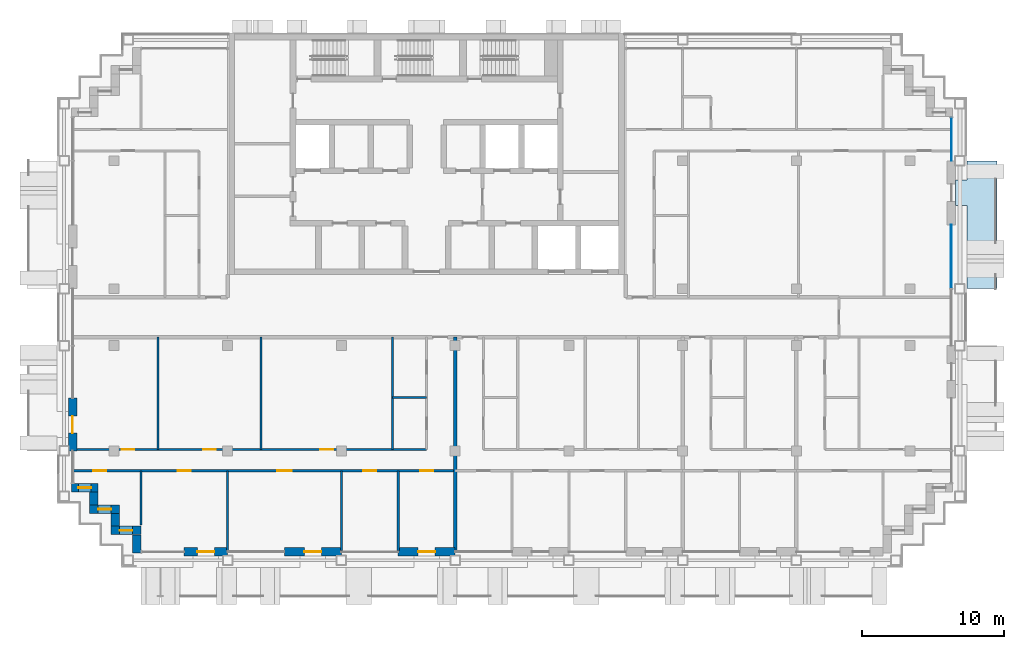
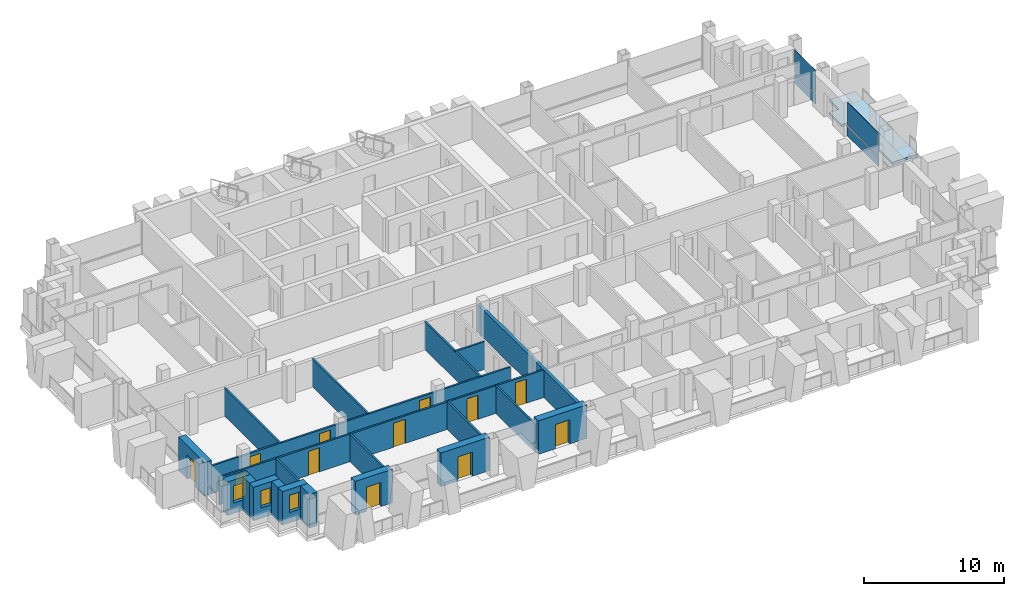
# One storey, part 7 of 16: 21 walls, 12 doors, 4 plates, 3 windows, 1 slab, 15 openings, 2 elements without a shape of their own.
"""IFC4 building model written with IfcOpenShell, lengths in metres."""

from ifc_helpers import new_model, si_unit, direction, frame, frame_2d, origin, origin_2d, place, context, subcontext, project, spatial, polyline, rectangle, outline, extrude, material, layer, layer_set, type_object, element, fill, aggregate, save


model = new_model("IFC4")

# Units and contexts
model_context = context("Model", 3, precision=1e-05, world=origin(), true_north=direction((0.0, 1.0)))
body_context = subcontext(model_context, "Body", "Model", "MODEL_VIEW")
ifc_project = project(units=[si_unit("LENGTHUNIT", "METRE"), si_unit("AREAUNIT", "SQUARE_METRE"), si_unit("VOLUMEUNIT", "CUBIC_METRE"), si_unit("PLANEANGLEUNIT", "RADIAN"), si_unit("MASSUNIT", "GRAM", prefix="KILO")], contexts=[model_context])

# Site, building, storey
site_placement = place(None, origin())
site = spatial("IfcSite", under=ifc_project, at=site_placement, CompositionType="ELEMENT")
building_placement = place(site_placement, origin())
building = spatial("IfcBuilding", under=site, at=building_placement, Name="Vidyagriha Tower", CompositionType="ELEMENT")
storey_placement = place(building_placement, frame((0.0, 0.0, 181.300048828125)))
storey = spatial("IfcBuildingStorey", under=building, at=storey_placement, Name="L47", CompositionType="ELEMENT", Elevation=181.300048828125)

# Curtain wall, plate
ifc_material_1 = material(Name="Aluminium and glass curtain wall", Category="aluminium")
curtain_wall_type = type_object("IfcCurtainWallType", Name="Dwelling skin unitised curtain wall", PredefinedType="USERDEFINED", material=ifc_material_1)
curtain_wall_1_placement = place(storey_placement, origin())
curtain_wall_1 = element("IfcCurtainWall", 1, at=curtain_wall_1_placement, inside=storey, type_object=curtain_wall_type, Name="CW1 dwelling skin", ObjectType="UNITISED", PredefinedType="USERDEFINED")
ifc_material_2 = material(Name="Glass dark ceramic-fritted spandrel", Category="glass")
ifc_layer_1 = layer(ifc_material_2, 0.0400390625)
ifc_layer_set_1 = layer_set([ifc_layer_1], Name="Glass dark ceramic-fritted spandrel")
plate_type_1 = type_object("IfcPlateType", Name="Ceramic-fritted spandrel panel", PredefinedType="CURTAIN_PANEL", material=ifc_layer_set_1)
plate_1_placement = place(storey_placement, frame((36.89990234375, 12.514892578125, 0.0), z_axis=(0.0, 0.0, 1.0), x_axis=(0.0, 1.0, 0.0)))
plate_1 = element("IfcPlate", 2, at=plate_1_placement, type_object=plate_type_1, Name="CW1 panel 1.1", PredefinedType="CURTAIN_PANEL", context=body_context, shape_type="SweptSolid", body=[
    extrude(rectangle(XDim=3.030029296875, YDim=0.0400390625, at=origin_2d()), origin(), (0.0, 0.0, 1.0), 0.85009765625),
])

curtain_wall_2_placement = place(storey_placement, origin())
curtain_wall_2 = element("IfcCurtainWall", 3, at=curtain_wall_2_placement, inside=storey, type_object=curtain_wall_type, Name="CW1 dwelling skin", ObjectType="UNITISED", PredefinedType="USERDEFINED")
ifc_material_3 = material(Name="Glass dark ceramic-fritted", Category="glass")
ifc_layer_2 = layer(ifc_material_3, 0.028076171875)
ifc_layer_set_2 = layer_set([ifc_layer_2], Name="Glass dark ceramic-fritted")
plate_type_2 = type_object("IfcPlateType", Name="Dark ceramic-fritted vision glass panel", PredefinedType="CURTAIN_PANEL", material=ifc_layer_set_2)
plate_2_placement = place(storey_placement, frame((36.89990234375, 4.267578125, 0.9501953125), z_axis=(0.0, 0.0, 1.0), x_axis=(0.0, 1.0, 0.0)))
plate_2 = element("IfcPlate", 4, at=plate_2_placement, type_object=plate_type_2, Name="CW1 panel 2.2", PredefinedType="CURTAIN_PANEL", context=body_context, shape_type="SweptSolid", body=[
    extrude(rectangle(XDim=4.465087890625, YDim=0.028076171875, at=origin_2d()), origin(), (0.0, 0.0, 1.0), 1.969970703125),
])

# Plate
plate_3_placement = place(storey_placement, frame((36.89990234375, 12.514892578125, 0.9501953125), z_axis=(0.0, 0.0, 1.0), x_axis=(0.0, 1.0, 0.0)))
plate_3 = element("IfcPlate", 5, at=plate_3_placement, type_object=plate_type_2, Name="CW1 panel 1.2", PredefinedType="CURTAIN_PANEL", context=body_context, shape_type="SweptSolid", body=[
    extrude(rectangle(XDim=3.030029296875, YDim=0.028076171875, at=origin_2d()), origin(), (0.0, 0.0, 1.0), 1.969970703125),
])

aggregate(curtain_wall_1, [plate_1, plate_3])

ifc_material_4 = material(Name="Aluminium black anodised", Category="aluminium")
ifc_layer_3 = layer(ifc_material_4, 0.06005859375)
ifc_layer_set_3 = layer_set([ifc_layer_3], Name="Aluminium black anodised")
plate_type_3 = type_object("IfcPlateType", Name="Operable black-metal vent panel", PredefinedType="CURTAIN_PANEL", material=ifc_layer_set_3)
plate_4_placement = place(storey_placement, frame((36.89990234375, 4.267578125, 0.0), z_axis=(0.0, 0.0, 1.0), x_axis=(0.0, 1.0, 0.0)))
plate_4 = element("IfcPlate", 6, at=plate_4_placement, type_object=plate_type_3, Name="CW1 panel 2.1", PredefinedType="CURTAIN_PANEL", context=body_context, shape_type="SweptSolid", body=[
    extrude(rectangle(XDim=4.465087890625, YDim=0.06005859375, at=origin_2d()), origin(), (0.0, 0.0, 1.0), 0.85009765625),
])

aggregate(curtain_wall_2, [plate_4, plate_2])

# Slab
ifc_material_5 = material(Name="Precast concrete C40/50", Category="concrete")
ifc_layer_4 = layer(ifc_material_5, 0.199951171875)
ifc_layer_set_4 = layer_set([ifc_layer_4], Name="Precast concrete C40/50")
slab_type = type_object("IfcSlabType", Name="Precast balcony slab 200", PredefinedType="USERDEFINED", material=ifc_layer_set_4)
slab_placement = place(storey_placement, frame((0.0, 0.0, -0.199951171875)))
element("IfcSlab", 7, at=slab_placement, inside=storey, type_object=slab_type, Name="Balcony slab L47 R30.2-2", ObjectType="BALCONY", PredefinedType="USERDEFINED", context=body_context, shape_type="SweptSolid", body=[
    extrude(outline(polyline([(38.0, 7.85009765625), (38.0, 2.0), (40.10009765625, 2.0), (40.10009765625, 11.0), (38.0, 11.0), (38.0, 9.64990234375), (37.199951171875, 9.64990234375), (37.199951171875, 7.85009765625), (38.0, 7.85009765625)])), origin(), (0.0, 0.0, 1.0), 0.199951171875),
])

# Wall, opening, door
ifc_material_6 = material(Name="Precast concrete C40/50 with brick facing", Category="concrete")
ifc_layer_5 = layer(ifc_material_6, 0.60009765625)
ifc_layer_set_5 = layer_set([ifc_layer_5], Name="Precast concrete C40/50 with brick facing")
wall_type_1 = type_object("IfcWallType", Name="Brick-faced precast wall 600", PredefinedType="STANDARD", material=ifc_layer_set_5)
wall_1_placement = place(storey_placement, frame((-24.89990234375, -5.699951171875, 0.0), z_axis=(0.0, 0.0, 1.0), x_axis=(0.0, -1.0, 0.0)))
wall_1 = element("IfcWall", 8, at=wall_1_placement, inside=storey, type_object=wall_type_1, Name="Brick door bay wall L47 R16.6", PredefinedType="STANDARD", context=body_context, shape_type="SweptSolid", body=[
    extrude(rectangle(XDim=3.699951171875, YDim=0.60009765625, at=frame_2d((1.85009765625, 0.0))), origin(), (0.0, 0.0, 1.0), 2.919921875),
])
opening_1_placement = place(wall_1_placement, frame((1.25, 0.0, 0.0)))
opening_1 = element("IfcOpeningElement", 9, at=opening_1_placement, cuts=wall_1, Name="Opening D47-70", PredefinedType="OPENING", context=body_context, shape_type="SweptSolid", body=[
    extrude(rectangle(XDim=1.199951171875, YDim=2.10009765625, at=frame_2d((0.60009765625, 1.050048828125))), frame((0.0, 0.31005859375, 0.0), z_axis=(0.0, -1.0, 0.0), x_axis=(1.0, 0.0, 0.0)), (0.0, 0.0, 1.0), 0.6201171875),
])
ifc_material_7 = material(Name="Aluminium framed glazed sliding door", Category="aluminium")
door_type_1 = type_object("IfcDoorType", Name="Balcony sliding door 1200x2100", OperationType="NOTDEFINED", PredefinedType="DOOR", material=ifc_material_7)
door_1_placement = place(opening_1_placement, origin())
door_1 = element("IfcDoor", 10, at=door_1_placement, inside=storey, type_object=door_type_1, Name="Door D47-70", OperationType="SLIDING_TO_LEFT", OverallHeight=2.10009765625, OverallWidth=1.199951171875, PredefinedType="DOOR", context=body_context, shape_type="SweptSolid", body=[
    extrude(rectangle(XDim=1.199951171875, YDim=2.10009765625, at=frame_2d((0.60009765625, 1.050048828125))), frame((0.0, 0.02490234375, 0.0), z_axis=(0.0, -1.0, 0.0), x_axis=(1.0, 0.0, 0.0)), (0.0, 0.0, 1.0), 0.050048828125),
])
fill(opening_1, door_1)

# Wall, opening, window
wall_2_placement = place(storey_placement, frame((-24.97998046875, -12.0, 0.0)))
wall_2 = element("IfcWall", 11, at=wall_2_placement, inside=storey, type_object=wall_type_1, Name="Stepped corner wall L47 R17", PredefinedType="STANDARD", context=body_context, shape_type="SweptSolid", body=[
    extrude(rectangle(XDim=1.8798828125, YDim=0.60009765625, at=frame_2d((0.93994140625, 0.0))), origin(), (0.0, 0.0, 1.0), 2.919921875),
])
opening_2_placement = place(wall_2_placement, frame((0.489990234375, 0.0, 0.89990234375)))
opening_2 = element("IfcOpeningElement", 12, at=opening_2_placement, cuts=wall_2, Name="Opening WN1", PredefinedType="OPENING", context=body_context, shape_type="SweptSolid", body=[
    extrude(rectangle(XDim=0.89990234375, YDim=1.5, at=frame_2d((0.449951171875, 0.75))), frame((0.0, 0.31005859375, 0.0), z_axis=(0.0, -1.0, 0.0), x_axis=(1.0, 0.0, 0.0)), (0.0, 0.0, 1.0), 0.6201171875),
])
ifc_material_8 = material(Name="Aluminium and glass window", Category="aluminium")
window_type = type_object("IfcWindowType", Name="Reveal window 900x1500", PartitioningType="NOTDEFINED", PredefinedType="WINDOW", material=ifc_material_8)
window_1_placement = place(opening_2_placement, origin())
window_1 = element("IfcWindow", 13, at=window_1_placement, inside=storey, type_object=window_type, Name="Reveal window L47 R17", OverallHeight=1.5, OverallWidth=0.89990234375, PartitioningType="SINGLE_PANEL", PredefinedType="WINDOW", context=body_context, shape_type="SweptSolid", body=[
    extrude(rectangle(XDim=0.89990234375, YDim=1.5, at=frame_2d((0.449951171875, 0.75))), frame((0.0, 0.030029296875, 0.0), z_axis=(0.0, -1.0, 0.0), x_axis=(1.0, 0.0, 0.0)), (0.0, 0.0, 1.0), 0.06005859375),
])
fill(opening_2, window_1)

# Wall
wall_3_placement = place(storey_placement, frame((-23.39990234375, -12.300048828125, 0.0), z_axis=(0.0, 0.0, 1.0), x_axis=(0.0, -1.0, 0.0)))
element("IfcWall", 14, at=wall_3_placement, inside=storey, type_object=wall_type_1, Name="Stepped corner wall L47 R18", PredefinedType="STANDARD", context=body_context, shape_type="SweptSolid", body=[
    extrude(rectangle(XDim=0.89990234375, YDim=0.60009765625, at=frame_2d((0.449951171875, 0.0))), origin(), (0.0, 0.0, 1.0), 2.919921875),
])

# Wall, opening, window
wall_4_placement = place(storey_placement, frame((-23.699951171875, -13.5, 0.0)))
wall_4 = element("IfcWall", 15, at=wall_4_placement, inside=storey, type_object=wall_type_1, Name="Stepped corner wall L47 R19", PredefinedType="STANDARD", context=body_context, shape_type="SweptSolid", body=[
    extrude(rectangle(XDim=2.099853515625, YDim=0.60009765625, at=frame_2d((1.0498046875, 0.0))), origin(), (0.0, 0.0, 1.0), 2.919921875),
])
opening_3_placement = place(wall_4_placement, frame((0.60009765625, 0.0, 0.89990234375)))
opening_3 = element("IfcOpeningElement", 16, at=opening_3_placement, cuts=wall_4, Name="Opening WN1", PredefinedType="OPENING", context=body_context, shape_type="SweptSolid", body=[
    extrude(rectangle(XDim=0.89990234375, YDim=1.5, at=frame_2d((0.449951171875, 0.75))), frame((0.0, 0.31005859375, 0.0), z_axis=(0.0, -1.0, 0.0), x_axis=(1.0, 0.0, 0.0)), (0.0, 0.0, 1.0), 0.6201171875),
])
window_2_placement = place(opening_3_placement, origin())
window_2 = element("IfcWindow", 17, at=window_2_placement, inside=storey, type_object=window_type, Name="Reveal window L47 R19", OverallHeight=1.5, OverallWidth=0.89990234375, PartitioningType="SINGLE_PANEL", PredefinedType="WINDOW", context=body_context, shape_type="SweptSolid", body=[
    extrude(rectangle(XDim=0.89990234375, YDim=1.5, at=frame_2d((0.449951171875, 0.75))), frame((0.0, 0.030029296875, 0.0), z_axis=(0.0, -1.0, 0.0), x_axis=(1.0, 0.0, 0.0)), (0.0, 0.0, 1.0), 0.06005859375),
])
fill(opening_3, window_2)

# Wall
wall_5_placement = place(storey_placement, frame((-21.89990234375, -13.800048828125, 0.0), z_axis=(0.0, 0.0, 1.0), x_axis=(0.0, -1.0, 0.0)))
element("IfcWall", 18, at=wall_5_placement, inside=storey, type_object=wall_type_1, Name="Stepped corner wall L47 R20", PredefinedType="STANDARD", context=body_context, shape_type="SweptSolid", body=[
    extrude(rectangle(XDim=0.89990234375, YDim=0.60009765625, at=frame_2d((0.449951171875, 0.0))), origin(), (0.0, 0.0, 1.0), 2.919921875),
])

# Wall, opening, window
wall_6_placement = place(storey_placement, frame((-22.199951171875, -15.0, 0.0)))
wall_6 = element("IfcWall", 19, at=wall_6_placement, inside=storey, type_object=wall_type_1, Name="Stepped corner wall L47 R21", PredefinedType="STANDARD", context=body_context, shape_type="SweptSolid", body=[
    extrude(rectangle(XDim=2.099853515625, YDim=0.60009765625, at=frame_2d((1.0498046875, 0.0))), origin(), (0.0, 0.0, 1.0), 2.919921875),
])
opening_4_placement = place(wall_6_placement, frame((0.60009765625, 0.0, 0.89990234375)))
opening_4 = element("IfcOpeningElement", 20, at=opening_4_placement, cuts=wall_6, Name="Opening WN1", PredefinedType="OPENING", context=body_context, shape_type="SweptSolid", body=[
    extrude(rectangle(XDim=0.89990234375, YDim=1.5, at=frame_2d((0.449951171875, 0.75))), frame((0.0, 0.31005859375, 0.0), z_axis=(0.0, -1.0, 0.0), x_axis=(1.0, 0.0, 0.0)), (0.0, 0.0, 1.0), 0.6201171875),
])
window_3_placement = place(opening_4_placement, origin())
window_3 = element("IfcWindow", 21, at=window_3_placement, inside=storey, type_object=window_type, Name="Reveal window L47 R21", OverallHeight=1.5, OverallWidth=0.89990234375, PartitioningType="SINGLE_PANEL", PredefinedType="WINDOW", context=body_context, shape_type="SweptSolid", body=[
    extrude(rectangle(XDim=0.89990234375, YDim=1.5, at=frame_2d((0.449951171875, 0.75))), frame((0.0, 0.030029296875, 0.0), z_axis=(0.0, -1.0, 0.0), x_axis=(1.0, 0.0, 0.0)), (0.0, 0.0, 1.0), 0.06005859375),
])
fill(opening_4, window_3)

# Wall
wall_7_placement = place(storey_placement, frame((-20.39990234375, -15.300048828125, 0.0), z_axis=(0.0, 0.0, 1.0), x_axis=(0.0, -1.0, 0.0)))
element("IfcWall", 22, at=wall_7_placement, inside=storey, type_object=wall_type_1, Name="Stepped corner wall L47 R22", PredefinedType="STANDARD", context=body_context, shape_type="SweptSolid", body=[
    extrude(rectangle(XDim=1.280029296875, YDim=0.60009765625, at=frame_2d((0.64013671875, 0.0))), origin(), (0.0, 0.0, 1.0), 2.919921875),
])

# Wall, opening, door
wall_8_placement = place(storey_placement, frame((-17.050048828125, -16.5, 0.0)))
wall_8 = element("IfcWall", 23, at=wall_8_placement, inside=storey, type_object=wall_type_1, Name="Brick door bay wall L47 R23.2", PredefinedType="STANDARD", context=body_context, shape_type="SweptSolid", body=[
    extrude(rectangle(XDim=3.050048828125, YDim=0.60009765625, at=frame_2d((1.52490234375, 0.0))), origin(), (0.0, 0.0, 1.0), 2.919921875),
])
opening_5_placement = place(wall_8_placement, frame((0.925048828125, 0.0, 0.0)))
opening_5 = element("IfcOpeningElement", 24, at=opening_5_placement, cuts=wall_8, Name="Opening D47-71", PredefinedType="OPENING", context=body_context, shape_type="SweptSolid", body=[
    extrude(rectangle(XDim=1.199951171875, YDim=2.10009765625, at=frame_2d((0.60009765625, 1.050048828125))), frame((0.0, 0.31005859375, 0.0), z_axis=(0.0, -1.0, 0.0), x_axis=(1.0, 0.0, 0.0)), (0.0, 0.0, 1.0), 0.6201171875),
])
door_2_placement = place(opening_5_placement, origin())
door_2 = element("IfcDoor", 25, at=door_2_placement, inside=storey, type_object=door_type_1, Name="Door D47-71", OperationType="SLIDING_TO_LEFT", OverallHeight=2.10009765625, OverallWidth=1.199951171875, PredefinedType="DOOR", context=body_context, shape_type="SweptSolid", body=[
    extrude(rectangle(XDim=1.199951171875, YDim=2.10009765625, at=frame_2d((0.60009765625, 1.050048828125))), frame((0.0, 0.02490234375, 0.0), z_axis=(0.0, -1.0, 0.0), x_axis=(1.0, 0.0, 0.0)), (0.0, 0.0, 1.0), 0.050048828125),
])
fill(opening_5, door_2)

wall_9_placement = place(storey_placement, frame((-10.0, -16.5, 0.0)))
wall_9 = element("IfcWall", 26, at=wall_9_placement, inside=storey, type_object=wall_type_1, Name="Brick door bay wall L47 R23.4", PredefinedType="STANDARD", context=body_context, shape_type="SweptSolid", body=[
    extrude(rectangle(XDim=4.0, YDim=0.60009765625, at=frame_2d((2.0, 0.0))), origin(), (0.0, 0.0, 1.0), 2.919921875),
])
opening_6_placement = place(wall_9_placement, frame((1.39990234375, 0.0, 0.0)))
opening_6 = element("IfcOpeningElement", 27, at=opening_6_placement, cuts=wall_9, Name="Opening D47-72", PredefinedType="OPENING", context=body_context, shape_type="SweptSolid", body=[
    extrude(rectangle(XDim=1.199951171875, YDim=2.10009765625, at=frame_2d((0.60009765625, 1.050048828125))), frame((0.0, 0.31005859375, 0.0), z_axis=(0.0, -1.0, 0.0), x_axis=(1.0, 0.0, 0.0)), (0.0, 0.0, 1.0), 0.6201171875),
])
door_3_placement = place(opening_6_placement, origin())
door_3 = element("IfcDoor", 28, at=door_3_placement, inside=storey, type_object=door_type_1, Name="Door D47-72", OperationType="SLIDING_TO_LEFT", OverallHeight=2.10009765625, OverallWidth=1.199951171875, PredefinedType="DOOR", context=body_context, shape_type="SweptSolid", body=[
    extrude(rectangle(XDim=1.199951171875, YDim=2.10009765625, at=frame_2d((0.60009765625, 1.050048828125))), frame((0.0, 0.02490234375, 0.0), z_axis=(0.0, -1.0, 0.0), x_axis=(1.0, 0.0, 0.0)), (0.0, 0.0, 1.0), 0.050048828125),
])
fill(opening_6, door_3)

wall_10_placement = place(storey_placement, frame((-2.0, -16.5, 0.0)))
wall_10 = element("IfcWall", 29, at=wall_10_placement, inside=storey, type_object=wall_type_1, Name="Brick door bay wall L47 R23.6", PredefinedType="STANDARD", context=body_context, shape_type="SweptSolid", body=[
    extrude(rectangle(XDim=4.0, YDim=0.60009765625, at=frame_2d((2.0, 0.0))), origin(), (0.0, 0.0, 1.0), 2.919921875),
])
opening_7_placement = place(wall_10_placement, frame((1.39990234375, 0.0, 0.0)))
opening_7 = element("IfcOpeningElement", 30, at=opening_7_placement, cuts=wall_10, Name="Opening D47-73", PredefinedType="OPENING", context=body_context, shape_type="SweptSolid", body=[
    extrude(rectangle(XDim=1.199951171875, YDim=2.10009765625, at=frame_2d((0.60009765625, 1.050048828125))), frame((0.0, 0.31005859375, 0.0), z_axis=(0.0, -1.0, 0.0), x_axis=(1.0, 0.0, 0.0)), (0.0, 0.0, 1.0), 0.6201171875),
])
door_4_placement = place(opening_7_placement, origin())
door_4 = element("IfcDoor", 31, at=door_4_placement, inside=storey, type_object=door_type_1, Name="Door D47-73", OperationType="SLIDING_TO_LEFT", OverallHeight=2.10009765625, OverallWidth=1.199951171875, PredefinedType="DOOR", context=body_context, shape_type="SweptSolid", body=[
    extrude(rectangle(XDim=1.199951171875, YDim=2.10009765625, at=frame_2d((0.60009765625, 1.050048828125))), frame((0.0, 0.02490234375, 0.0), z_axis=(0.0, -1.0, 0.0), x_axis=(1.0, 0.0, 0.0)), (0.0, 0.0, 1.0), 0.050048828125),
])
fill(opening_7, door_4)

# Walls
ifc_material_9 = material(Name="Fired clay brick masonry", Category="masonry")
ifc_layer_6 = layer(ifc_material_9, 0.25)
ifc_layer_set_6 = layer_set([ifc_layer_6], Name="Fired clay brick masonry")
wall_type_2 = type_object("IfcWallType", Name="Fired clay brick demising wall 250", PredefinedType="PARTITIONING", material=ifc_layer_set_6)
wall_11_placement = place(storey_placement, frame((2.0, -1.39990234375, 0.0), z_axis=(0.0, 0.0, 1.0), x_axis=(0.0, -1.0, 0.0)))
element("IfcWall", 32, at=wall_11_placement, inside=storey, type_object=wall_type_2, Name="Wall all-L47-w043", PredefinedType="PARTITIONING", context=body_context, shape_type="SweptSolid", body=[
    extrude(rectangle(XDim=15.010009765625, YDim=0.25, at=frame_2d((7.5048828125, 0.0))), origin(), (0.0, 0.0, 1.0), 2.39990234375),
])
ifc_material_10 = material(Name="Gypsum board partition")
ifc_layer_7 = layer(ifc_material_10, 0.14990234375)
ifc_layer_set_7 = layer_set([ifc_layer_7], Name="Gypsum board partition")
wall_type_3 = type_object("IfcWallType", Name="Gypsum board partition 150", PredefinedType="PARTITIONING", material=ifc_layer_set_7)
wall_12_placement = place(storey_placement, frame((0.0, -5.64990234375, 0.0), z_axis=(0.0, 0.0, 1.0), x_axis=(-1.0, 0.0, 0.0)))
element("IfcWall", 33, at=wall_12_placement, inside=storey, type_object=wall_type_3, Name="Wall all-L47-w004", PredefinedType="PARTITIONING", context=body_context, shape_type="SweptSolid", body=[
    extrude(rectangle(XDim=2.39990234375, YDim=0.14990234375, at=frame_2d((1.199951171875, 0.0))), origin(), (0.0, 0.0, 1.0), 2.39990234375),
])
for number, where, z_axis, x_axis, name in (
    (34, (-2.39990234375, -9.300048828125, 0.0), (0.0, 0.0, 1.0), (0.0, 1.0, 0.0), "Wall all-L47-w005"),
    (35, (-11.64990234375, -9.300048828125, 0.0), (0.0, 0.0, 1.0), (0.0, 1.0, 0.0), "Wall all-L47-w006"),
    (36, (-18.89990234375, -9.300048828125, 0.0), (0.0, 0.0, 1.0), (0.0, 1.0, 0.0), "Wall all-L47-w007"),
):
    element("IfcWall", number, at=place(storey_placement, frame(where, z_axis=z_axis, x_axis=x_axis)), inside=storey, type_object=wall_type_3, Name=name, PredefinedType="PARTITIONING", context=body_context, shape_type="SweptSolid", body=[
        extrude(rectangle(XDim=7.900146484375, YDim=0.14990234375, at=frame_2d((3.9501953125, 0.0))), origin(), (0.0, 0.0, 1.0), 2.39990234375),
    ])

# Wall, openings, doors
wall_13_placement = place(storey_placement, frame((-24.81005859375, -9.300048828125, 0.0)))
wall_13 = element("IfcWall", 37, at=wall_13_placement, inside=storey, type_object=wall_type_3, Name="Wall all-L47-w008", PredefinedType="PARTITIONING", context=body_context, shape_type="SweptSolid", body=[
    extrude(rectangle(XDim=24.81005859375, YDim=0.14990234375, at=frame_2d((12.405029296875, 0.0))), origin(), (0.0, 0.0, 1.0), 2.39990234375),
])
opening_8_placement = place(wall_13_placement, frame((17.3349609375, 0.0, 0.0)))
opening_8 = element("IfcOpeningElement", 38, at=opening_8_placement, cuts=wall_13, Name="Opening D47-20", PredefinedType="OPENING", context=body_context, shape_type="SweptSolid", body=[
    extrude(rectangle(XDim=0.89990234375, YDim=2.10009765625, at=frame_2d((0.449951171875, 1.050048828125))), frame((0.0, 0.0849609375, 0.0), z_axis=(0.0, -1.0, 0.0), x_axis=(1.0, 0.0, 0.0)), (0.0, 0.0, 1.0), 0.169921875),
])
opening_9_placement = place(wall_13_placement, frame((9.0849609375, 0.0, 0.0)))
opening_9 = element("IfcOpeningElement", 39, at=opening_9_placement, cuts=wall_13, Name="Opening D47-21", PredefinedType="OPENING", context=body_context, shape_type="SweptSolid", body=[
    extrude(rectangle(XDim=0.89990234375, YDim=2.10009765625, at=frame_2d((0.449951171875, 1.050048828125))), frame((0.0, 0.0849609375, 0.0), z_axis=(0.0, -1.0, 0.0), x_axis=(1.0, 0.0, 0.0)), (0.0, 0.0, 1.0), 0.169921875),
])
opening_10_placement = place(wall_13_placement, frame((3.35693359375, 0.0, 0.0)))
opening_10 = element("IfcOpeningElement", 40, at=opening_10_placement, cuts=wall_13, Name="Opening D47-22", PredefinedType="OPENING", context=body_context, shape_type="SweptSolid", body=[
    extrude(rectangle(XDim=0.89990234375, YDim=2.10009765625, at=frame_2d((0.449951171875, 1.050048828125))), frame((0.0, 0.0849609375, 0.0), z_axis=(0.0, -1.0, 0.0), x_axis=(1.0, 0.0, 0.0)), (0.0, 0.0, 1.0), 0.169921875),
])
ifc_material_11 = material(Name="Timber door leaf", Category="wood")
door_type_2 = type_object("IfcDoorType", Name="Room door 900x2100", OperationType="NOTDEFINED", PredefinedType="DOOR", material=ifc_material_11)
door_5_placement = place(opening_8_placement, origin())
door_5 = element("IfcDoor", 41, at=door_5_placement, inside=storey, type_object=door_type_2, Name="Door D47-20", OperationType="SINGLE_SWING_LEFT", OverallHeight=2.10009765625, OverallWidth=0.89990234375, PredefinedType="DOOR", context=body_context, shape_type="SweptSolid", body=[
    extrude(rectangle(XDim=0.89990234375, YDim=2.10009765625, at=frame_2d((0.449951171875, 1.050048828125))), frame((0.0, 0.02490234375, 0.0), z_axis=(0.0, -1.0, 0.0), x_axis=(1.0, 0.0, 0.0)), (0.0, 0.0, 1.0), 0.050048828125),
])
fill(opening_8, door_5)
door_6_placement = place(opening_9_placement, origin())
door_6 = element("IfcDoor", 42, at=door_6_placement, inside=storey, type_object=door_type_2, Name="Door D47-21", OperationType="SINGLE_SWING_LEFT", OverallHeight=2.10009765625, OverallWidth=0.89990234375, PredefinedType="DOOR", context=body_context, shape_type="SweptSolid", body=[
    extrude(rectangle(XDim=0.89990234375, YDim=2.10009765625, at=frame_2d((0.449951171875, 1.050048828125))), frame((0.0, 0.02490234375, 0.0), z_axis=(0.0, -1.0, 0.0), x_axis=(1.0, 0.0, 0.0)), (0.0, 0.0, 1.0), 0.050048828125),
])
fill(opening_9, door_6)
door_7_placement = place(opening_10_placement, origin())
door_7 = element("IfcDoor", 43, at=door_7_placement, inside=storey, type_object=door_type_2, Name="Door D47-22", OperationType="SINGLE_SWING_RIGHT", OverallHeight=2.10009765625, OverallWidth=0.89990234375, PredefinedType="DOOR", context=body_context, shape_type="SweptSolid", body=[
    extrude(rectangle(XDim=0.89990234375, YDim=2.10009765625, at=frame_2d((0.449951171875, 1.050048828125))), frame((0.0, 0.02490234375, 0.0), z_axis=(0.0, -1.0, 0.0), x_axis=(1.0, 0.0, 0.0)), (0.0, 0.0, 1.0), 0.050048828125),
])
fill(opening_10, door_7)

wall_14_placement = place(storey_placement, frame((2.0, -10.800048828125, 0.0), z_axis=(0.0, 0.0, 1.0), x_axis=(-1.0, 0.0, 0.0)))
wall_14 = element("IfcWall", 44, at=wall_14_placement, inside=storey, type_object=wall_type_3, Name="Wall all-L47-w012", PredefinedType="PARTITIONING", context=body_context, shape_type="SweptSolid", body=[
    extrude(rectangle(XDim=26.820068359375, YDim=0.14990234375, at=frame_2d((13.41015625, 0.0))), origin(), (0.0, 0.0, 1.0), 2.39990234375),
])
opening_11_placement = place(wall_14_placement, frame((24.547119140625, 0.0, 0.0)))
opening_11 = element("IfcOpeningElement", 45, at=opening_11_placement, cuts=wall_14, Name="Opening D47-23", PredefinedType="OPENING", context=body_context, shape_type="SweptSolid", body=[
    extrude(rectangle(XDim=0.89990234375, YDim=2.10009765625, at=frame_2d((0.449951171875, 1.050048828125))), frame((0.0, 0.0849609375, 0.0), z_axis=(0.0, -1.0, 0.0), x_axis=(1.0, 0.0, 0.0)), (0.0, 0.0, 1.0), 0.169921875),
])
opening_12_placement = place(wall_14_placement, frame((18.60009765625, 0.0, 0.0)))
opening_12 = element("IfcOpeningElement", 46, at=opening_12_placement, cuts=wall_14, Name="Opening D47-24", PredefinedType="OPENING", context=body_context, shape_type="SweptSolid", body=[
    extrude(rectangle(XDim=0.89990234375, YDim=2.10009765625, at=frame_2d((0.449951171875, 1.050048828125))), frame((0.0, 0.0849609375, 0.0), z_axis=(0.0, -1.0, 0.0), x_axis=(1.0, 0.0, 0.0)), (0.0, 0.0, 1.0), 0.169921875),
])
opening_13_placement = place(wall_14_placement, frame((11.5, 0.0, 0.0)))
opening_13 = element("IfcOpeningElement", 47, at=opening_13_placement, cuts=wall_14, Name="Opening D47-25", PredefinedType="OPENING", context=body_context, shape_type="SweptSolid", body=[
    extrude(rectangle(XDim=1.0, YDim=2.10009765625, at=frame_2d((0.5, 1.050048828125))), frame((0.0, 0.0849609375, 0.0), z_axis=(0.0, -1.0, 0.0), x_axis=(1.0, 0.0, 0.0)), (0.0, 0.0, 1.0), 0.169921875),
])
opening_14_placement = place(wall_14_placement, frame((5.550048828125, 0.0, 0.0)))
opening_14 = element("IfcOpeningElement", 48, at=opening_14_placement, cuts=wall_14, Name="Opening D47-26", PredefinedType="OPENING", context=body_context, shape_type="SweptSolid", body=[
    extrude(rectangle(XDim=0.89990234375, YDim=2.10009765625, at=frame_2d((0.449951171875, 1.050048828125))), frame((0.0, 0.0849609375, 0.0), z_axis=(0.0, -1.0, 0.0), x_axis=(1.0, 0.0, 0.0)), (0.0, 0.0, 1.0), 0.169921875),
])
opening_15_placement = place(wall_14_placement, frame((1.550048828125, 0.0, 0.0)))
opening_15 = element("IfcOpeningElement", 49, at=opening_15_placement, cuts=wall_14, Name="Opening D47-27", PredefinedType="OPENING", context=body_context, shape_type="SweptSolid", body=[
    extrude(rectangle(XDim=0.89990234375, YDim=2.10009765625, at=frame_2d((0.449951171875, 1.050048828125))), frame((0.0, 0.0849609375, 0.0), z_axis=(0.0, -1.0, 0.0), x_axis=(1.0, 0.0, 0.0)), (0.0, 0.0, 1.0), 0.169921875),
])
ifc_material_12 = material(Name="Timber door leaf", Category="wood")
door_type_3 = type_object("IfcDoorType", Name="Room door 1000x2100", OperationType="NOTDEFINED", PredefinedType="DOOR", material=ifc_material_12)
door_8_placement = place(opening_13_placement, origin())
door_8 = element("IfcDoor", 50, at=door_8_placement, inside=storey, type_object=door_type_3, Name="Door D47-25", OperationType="SINGLE_SWING_RIGHT", OverallHeight=2.10009765625, OverallWidth=1.0, PredefinedType="DOOR", context=body_context, shape_type="SweptSolid", body=[
    extrude(rectangle(XDim=1.0, YDim=2.10009765625, at=frame_2d((0.5, 1.050048828125))), frame((0.0, 0.02490234375, 0.0), z_axis=(0.0, -1.0, 0.0), x_axis=(1.0, 0.0, 0.0)), (0.0, 0.0, 1.0), 0.050048828125),
])
fill(opening_13, door_8)
door_9_placement = place(opening_11_placement, origin())
door_9 = element("IfcDoor", 51, at=door_9_placement, inside=storey, type_object=door_type_2, Name="Door D47-23", OperationType="SINGLE_SWING_RIGHT", OverallHeight=2.10009765625, OverallWidth=0.89990234375, PredefinedType="DOOR", context=body_context, shape_type="SweptSolid", body=[
    extrude(rectangle(XDim=0.89990234375, YDim=2.10009765625, at=frame_2d((0.449951171875, 1.050048828125))), frame((0.0, 0.02490234375, 0.0), z_axis=(0.0, -1.0, 0.0), x_axis=(1.0, 0.0, 0.0)), (0.0, 0.0, 1.0), 0.050048828125),
])
fill(opening_11, door_9)
door_10_placement = place(opening_12_placement, origin())
door_10 = element("IfcDoor", 52, at=door_10_placement, inside=storey, type_object=door_type_2, Name="Door D47-24", OperationType="SINGLE_SWING_RIGHT", OverallHeight=2.10009765625, OverallWidth=0.89990234375, PredefinedType="DOOR", context=body_context, shape_type="SweptSolid", body=[
    extrude(rectangle(XDim=0.89990234375, YDim=2.10009765625, at=frame_2d((0.449951171875, 1.050048828125))), frame((0.0, 0.02490234375, 0.0), z_axis=(0.0, -1.0, 0.0), x_axis=(1.0, 0.0, 0.0)), (0.0, 0.0, 1.0), 0.050048828125),
])
fill(opening_12, door_10)
door_11_placement = place(opening_14_placement, origin())
door_11 = element("IfcDoor", 53, at=door_11_placement, inside=storey, type_object=door_type_2, Name="Door D47-26", OperationType="SINGLE_SWING_RIGHT", OverallHeight=2.10009765625, OverallWidth=0.89990234375, PredefinedType="DOOR", context=body_context, shape_type="SweptSolid", body=[
    extrude(rectangle(XDim=0.89990234375, YDim=2.10009765625, at=frame_2d((0.449951171875, 1.050048828125))), frame((0.0, 0.02490234375, 0.0), z_axis=(0.0, -1.0, 0.0), x_axis=(1.0, 0.0, 0.0)), (0.0, 0.0, 1.0), 0.050048828125),
])
fill(opening_14, door_11)
door_12_placement = place(opening_15_placement, origin())
door_12 = element("IfcDoor", 54, at=door_12_placement, inside=storey, type_object=door_type_2, Name="Door D47-27", OperationType="SINGLE_SWING_RIGHT", OverallHeight=2.10009765625, OverallWidth=0.89990234375, PredefinedType="DOOR", context=body_context, shape_type="SweptSolid", body=[
    extrude(rectangle(XDim=0.89990234375, YDim=2.10009765625, at=frame_2d((0.449951171875, 1.050048828125))), frame((0.0, 0.02490234375, 0.0), z_axis=(0.0, -1.0, 0.0), x_axis=(1.0, 0.0, 0.0)), (0.0, 0.0, 1.0), 0.050048828125),
])
fill(opening_15, door_12)

# Walls
wall_15_placement = place(storey_placement, frame((-20.10009765625, -10.800048828125, 0.0), z_axis=(0.0, 0.0, 1.0), x_axis=(0.0, -1.0, 0.0)))
element("IfcWall", 55, at=wall_15_placement, inside=storey, type_object=wall_type_3, Name="Wall all-L47-w018", PredefinedType="PARTITIONING", context=body_context, shape_type="SweptSolid", body=[
    extrude(rectangle(XDim=3.820068359375, YDim=0.14990234375, at=frame_2d((1.91015625, 0.0))), origin(), (0.0, 0.0, 1.0), 2.39990234375),
])
for number, where, z_axis, x_axis, name in (
    (56, (-14.0, -10.800048828125, 0.0), (0.0, 0.0, 1.0), (0.0, -1.0, 0.0), "Wall all-L47-w019"),
    (57, (-6.0, -10.800048828125, 0.0), (0.0, 0.0, 1.0), (0.0, -1.0, 0.0), "Wall all-L47-w020"),
):
    element("IfcWall", number, at=place(storey_placement, frame(where, z_axis=z_axis, x_axis=x_axis)), inside=storey, type_object=wall_type_3, Name=name, PredefinedType="PARTITIONING", context=body_context, shape_type="SweptSolid", body=[
        extrude(rectangle(XDim=5.60986328125, YDim=0.14990234375, at=frame_2d((2.804931640625, 0.0))), origin(), (0.0, 0.0, 1.0), 2.39990234375),
    ])
wall_16_placement = place(storey_placement, frame((-2.0, -10.800048828125, 0.0), z_axis=(0.0, 0.0, 1.0), x_axis=(0.0, -1.0, 0.0)))
element("IfcWall", 58, at=wall_16_placement, inside=storey, type_object=wall_type_3, Name="Wall all-L47-w021", PredefinedType="PARTITIONING", context=body_context, shape_type="SweptSolid", body=[
    extrude(rectangle(XDim=5.620849609375, YDim=0.14990234375, at=frame_2d((2.810546875, 0.0))), origin(), (0.0, 0.0, 1.0), 2.39990234375),
])

save(model, "model.ifc")
